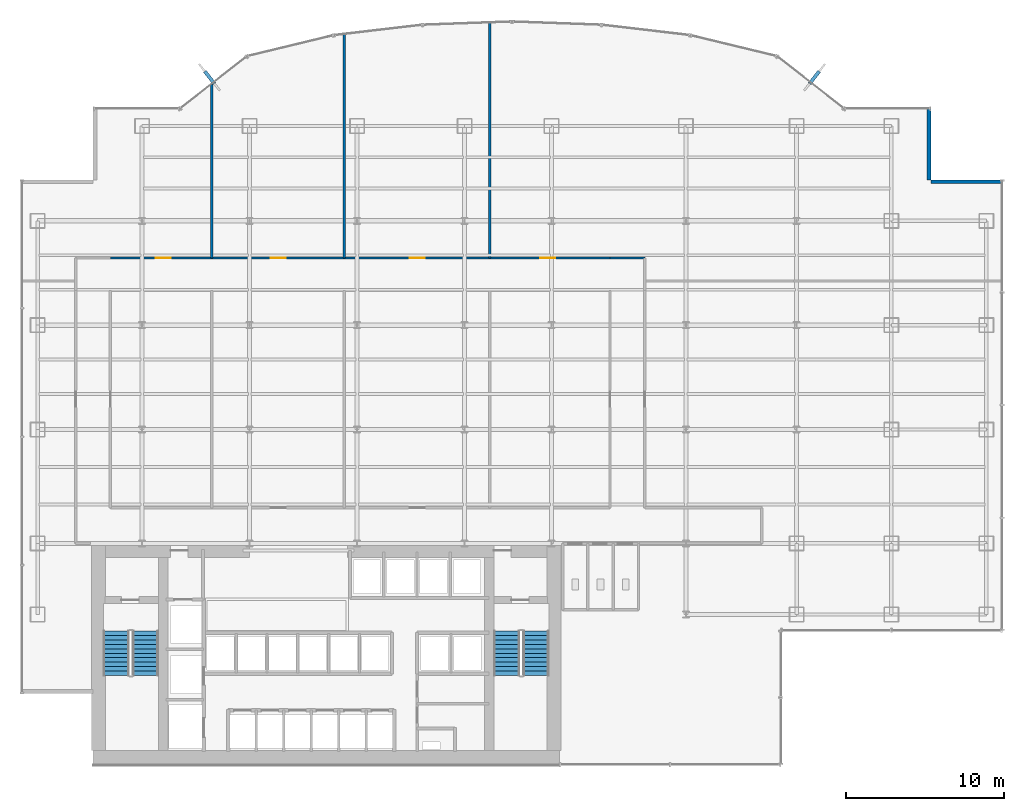
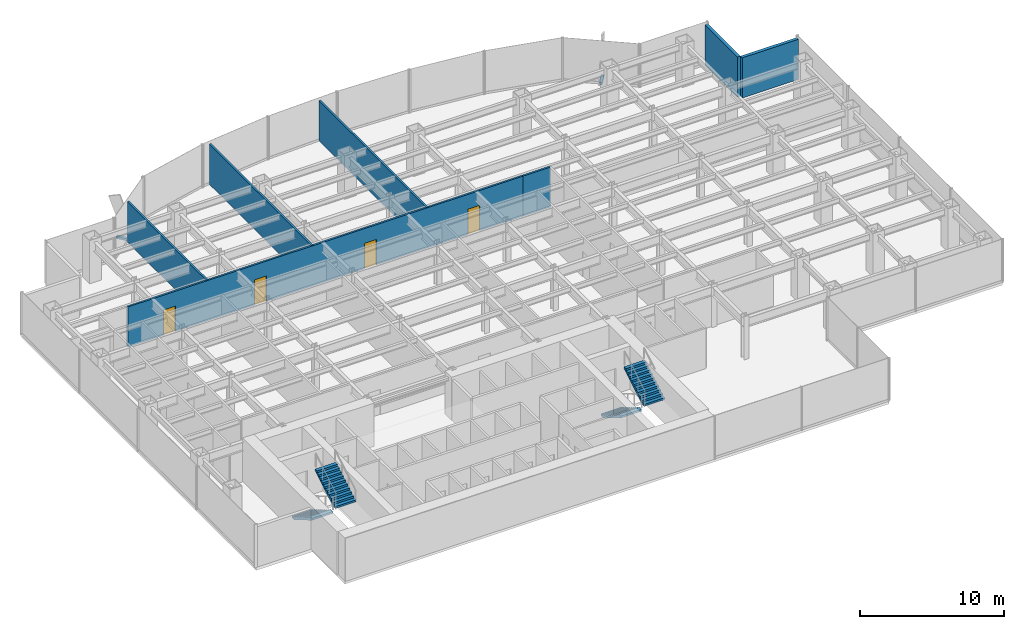
# One storey, part 20 of 23: 7 walls, 4 doors, 4 stair flights, 2 discrete accessories, 4 openings, 2 elements without a shape of their own.
"""IFC4 building model written with IfcOpenShell, lengths in metres."""

from ifc_helpers import new_model, si_unit, derived_unit, direction, frame, frame_2d, origin, origin_2d, place, context, subcontext, project, spatial, polyline, rectangle, outline, extrude, source, transform, mapped, material, layer, layer_set, type_object, element, fill, aggregate, save


model = new_model("IFC4")

# Units and contexts
model_context = context("Model", 3, precision=1e-05, world=origin(), true_north=direction((0.0, 1.0)))
body_context = subcontext(model_context, "Body", "Model", "MODEL_VIEW")
ifc_project = project(units=[si_unit("LENGTHUNIT", "METRE"), si_unit("AREAUNIT", "SQUARE_METRE"), si_unit("VOLUMEUNIT", "CUBIC_METRE"), si_unit("PLANEANGLEUNIT", "RADIAN"), si_unit("MASSUNIT", "GRAM", prefix="KILO"), derived_unit("THERMALTRANSMITTANCEUNIT", [(si_unit("POWERUNIT", "WATT"), 1), (si_unit("LENGTHUNIT", "METRE"), -2), (si_unit("THERMODYNAMICTEMPERATUREUNIT", "KELVIN"), -1)])], contexts=[model_context])

# Site, building, storey
site_placement = place(None, origin())
site = spatial("IfcSite", under=ifc_project, at=site_placement, CompositionType="ELEMENT")
building_placement = place(site_placement, origin())
building = spatial("IfcBuilding", under=site, at=building_placement, Name="Skarnbrae Concourse Arena and Tower", CompositionType="ELEMENT")
storey_placement = place(building_placement, frame((0.0, 0.0, 47.10009765625)))
storey = spatial("IfcBuildingStorey", under=building, at=storey_placement, Name="L10", CompositionType="ELEMENT", Elevation=47.10009765625)

# Walls
ifc_material_1 = material(Name="Precast concrete 40 MPa (C40/50)", Category="concrete")
ifc_layer_1 = layer(ifc_material_1, 0.25)
ifc_layer_set_1 = layer_set([ifc_layer_1], Name="Precast concrete 40 MPa (C40/50)")
wall_type_1 = type_object("IfcWallType", Name="WALL-EXT-SPANDREL-250", PredefinedType="STANDARD", material=ifc_layer_set_1)
shared_shape_1 = source(origin(), body_context, "Body", "SweptSolid", [
    extrude(rectangle(XDim=4.5, YDim=0.25, at=frame_2d((2.25, 0.0))), origin(), (0.0, 0.0, 1.0), 3.39990234375),
])
for number, where, z_axis, x_axis, name in (
    (1, (62.0, 36.875, 0.0), (0.0, 0.0, 1.0), (-1.0, 0.0, 0.0), "L10 Notched corner insulated return wall 05"),
    (2, (57.375, 37.0, 0.0), (0.0, 0.0, 1.0), (0.0, 1.0, 0.0), "L10 Notched corner insulated return wall 06"),
):
    element("IfcWall", number, at=place(storey_placement, frame(where, z_axis=z_axis, x_axis=x_axis)), inside=storey, type_object=wall_type_1, Name=name, PredefinedType="STANDARD", context=body_context, shape_type="MappedRepresentation", body=[
        mapped(shared_shape_1, transform((0.0, 0.0, 0.0))),
    ])
ifc_material_2 = material(Name="Gypsum board on cold-formed steel studs", Category="steel")
ifc_layer_2 = layer(ifc_material_2, 0.14990234375)
ifc_layer_set_2 = layer_set([ifc_layer_2], Name="Gypsum board on cold-formed steel studs")
wall_type_2 = type_object("IfcWallType", Name="WALL-PART-150-1HR", PredefinedType="PARTITIONING", material=ifc_layer_set_2)
shared_shape_2 = source(origin(), body_context, "Body", "SweptSolid", [
    extrude(rectangle(XDim=2.199951171875, YDim=0.14990234375, at=frame_2d((1.10009765625, 0.0))), origin(), (0.0, 0.0, 1.0), 3.39990234375),
])
wall_1_placement = place(storey_placement, frame((37.199951171875, 32.050048828125, 0.0), z_axis=(0.0, 0.0, 1.0), x_axis=(1.0, 0.0, 0.0)))
element("IfcWall", 3, at=wall_1_placement, inside=storey, type_object=wall_type_2, Name="L10 Interior partition wall W-L10-COR-07", PredefinedType="PARTITIONING", context=body_context, shape_type="MappedRepresentation", body=[
    mapped(shared_shape_2, transform((0.0, 0.0, 0.0))),
])

# Wall, openings, doors
shared_shape_3 = source(origin(), body_context, "Body", "SweptSolid", [
    extrude(rectangle(XDim=31.599853515625, YDim=0.14990234375, at=frame_2d((15.7998046875, 0.0))), origin(), (0.0, 0.0, 1.0), 3.39990234375),
])
wall_2_placement = place(storey_placement, frame((5.60009765625, 32.050048828125, 0.0), z_axis=(0.0, 0.0, 1.0), x_axis=(1.0, 0.0, 0.0)))
wall_2 = element("IfcWall", 4, at=wall_2_placement, inside=storey, type_object=wall_type_2, Name="L10 Interior partition wall W-L10-COR-06", PredefinedType="PARTITIONING", context=body_context, shape_type="MappedRepresentation", body=[
    mapped(shared_shape_3, transform((0.0, 0.0, 0.0))),
])
opening_1_placement = place(wall_2_placement, frame((2.85498046875, 0.0, 0.0)))
opening_1 = element("IfcOpeningElement", 5, at=opening_1_placement, cuts=wall_2, Name="Opening DT-04", PredefinedType="OPENING", context=body_context, shape_type="SweptSolid", body=[
    extrude(rectangle(XDim=0.949951171875, YDim=2.14990234375, at=frame_2d((0.47509765625, 1.074951171875))), frame((0.0, 0.0849609375, 0.0), z_axis=(0.0, -1.0, 0.0), x_axis=(1.0, 0.0, 0.0)), (0.0, 0.0, 1.0), 0.169921875),
])
opening_2_placement = place(wall_2_placement, frame((10.125, 0.0, 0.0)))
opening_2 = element("IfcOpeningElement", 6, at=opening_2_placement, cuts=wall_2, Name="Opening DT-04", PredefinedType="OPENING", context=body_context, shape_type="SweptSolid", body=[
    extrude(rectangle(XDim=0.949951171875, YDim=2.14990234375, at=frame_2d((0.47509765625, 1.074951171875))), frame((0.0, 0.0849609375, 0.0), z_axis=(0.0, -1.0, 0.0), x_axis=(1.0, 0.0, 0.0)), (0.0, 0.0, 1.0), 0.169921875),
])
opening_3_placement = place(wall_2_placement, frame((18.925048828125, 0.0, 0.0)))
opening_3 = element("IfcOpeningElement", 7, at=opening_3_placement, cuts=wall_2, Name="Opening DT-04", PredefinedType="OPENING", context=body_context, shape_type="SweptSolid", body=[
    extrude(rectangle(XDim=0.949951171875, YDim=2.14990234375, at=frame_2d((0.47509765625, 1.074951171875))), frame((0.0, 0.0849609375, 0.0), z_axis=(0.0, -1.0, 0.0), x_axis=(1.0, 0.0, 0.0)), (0.0, 0.0, 1.0), 0.169921875),
])
opening_4_placement = place(wall_2_placement, frame((27.195068359375, 0.0, 0.0)))
opening_4 = element("IfcOpeningElement", 8, at=opening_4_placement, cuts=wall_2, Name="Opening DT-04", PredefinedType="OPENING", context=body_context, shape_type="SweptSolid", body=[
    extrude(rectangle(XDim=0.949951171875, YDim=2.14990234375, at=frame_2d((0.47509765625, 1.074951171875))), frame((0.0, 0.0849609375, 0.0), z_axis=(0.0, -1.0, 0.0), x_axis=(1.0, 0.0, 0.0)), (0.0, 0.0, 1.0), 0.169921875),
])
ifc_material_3 = material(Name="Steel CSA G40.21 350W", Category="steel")
door_type = type_object("IfcDoorType", Name="DOOR-INT-950-45M", OperationType="NOTDEFINED", PredefinedType="DOOR", material=ifc_material_3)
shared_shape_4 = source(origin(), body_context, "Body", "SweptSolid", [
    extrude(rectangle(XDim=0.949951171875, YDim=2.14990234375, at=frame_2d((0.47509765625, 1.074951171875))), frame((0.0, 0.02490234375, 0.0), z_axis=(0.0, -1.0, 0.0), x_axis=(1.0, 0.0, 0.0)), (0.0, 0.0, 1.0), 0.050048828125),
])
door_1_placement = place(opening_1_placement, origin())
door_1 = element("IfcDoor", 9, at=door_1_placement, inside=storey, type_object=door_type, Name="D-0456 L10 Suite Door 02", OperationType="SINGLE_SWING_LEFT", OverallHeight=2.14990234375, OverallWidth=0.949951171875, PredefinedType="DOOR", context=body_context, shape_type="MappedRepresentation", body=[
    mapped(shared_shape_4, transform((0.0, 0.0, 0.0))),
])
fill(opening_1, door_1)
door_2_placement = place(opening_2_placement, origin())
door_2 = element("IfcDoor", 10, at=door_2_placement, inside=storey, type_object=door_type, Name="D-0459 L10 Suite Door 05", OperationType="SINGLE_SWING_RIGHT", OverallHeight=2.14990234375, OverallWidth=0.949951171875, PredefinedType="DOOR", context=body_context, shape_type="MappedRepresentation", body=[
    mapped(shared_shape_4, transform((0.0, 0.0, 0.0))),
])
fill(opening_2, door_2)
door_3_placement = place(opening_3_placement, origin())
door_3 = element("IfcDoor", 11, at=door_3_placement, inside=storey, type_object=door_type, Name="D-0461 L10 Suite Door 07", OperationType="SINGLE_SWING_RIGHT", OverallHeight=2.14990234375, OverallWidth=0.949951171875, PredefinedType="DOOR", context=body_context, shape_type="MappedRepresentation", body=[
    mapped(shared_shape_4, transform((0.0, 0.0, 0.0))),
])
fill(opening_3, door_3)
door_4_placement = place(opening_4_placement, origin())
door_4 = element("IfcDoor", 12, at=door_4_placement, inside=storey, type_object=door_type, Name="D-0463 L10 Suite Door 09", OperationType="SINGLE_SWING_RIGHT", OverallHeight=2.14990234375, OverallWidth=0.949951171875, PredefinedType="DOOR", context=body_context, shape_type="MappedRepresentation", body=[
    mapped(shared_shape_4, transform((0.0, 0.0, 0.0))),
])
fill(opening_4, door_4)

# Walls
ifc_layer_3 = layer(ifc_material_2, 0.14990234375)
ifc_layer_set_3 = layer_set([ifc_layer_3], Name="Gypsum board on cold-formed steel studs")
wall_type_3 = type_object("IfcWallType", Name="WALL-PART-150", PredefinedType="PARTITIONING", material=ifc_layer_set_3)
shared_shape_5 = source(origin(), body_context, "Body", "SweptSolid", [
    extrude(rectangle(XDim=10.989013671875, YDim=0.14990234375, at=frame_2d((5.49462890625, 0.0))), origin(), (0.0, 0.0, 1.0), 3.39990234375),
])
wall_3_placement = place(storey_placement, frame((12.0, 43.0390625, 0.0), z_axis=(0.0, 0.0, 1.0), x_axis=(0.0, -1.0, 0.0)))
element("IfcWall", 13, at=wall_3_placement, inside=storey, type_object=wall_type_3, Name="L10 Interior partition wall W-L10-DEM-19", PredefinedType="PARTITIONING", context=body_context, shape_type="MappedRepresentation", body=[
    mapped(shared_shape_5, transform((0.0, 0.0, 0.0))),
])
shared_shape_6 = source(origin(), body_context, "Body", "SweptSolid", [
    extrude(rectangle(XDim=14.14892578125, YDim=0.14990234375, at=frame_2d((7.074462890625, 0.0))), origin(), (0.0, 0.0, 1.0), 3.39990234375),
])
wall_4_placement = place(storey_placement, frame((20.39990234375, 46.198974609375, 0.0), z_axis=(0.0, 0.0, 1.0), x_axis=(0.0, -1.0, 0.0)))
element("IfcWall", 14, at=wall_4_placement, inside=storey, type_object=wall_type_3, Name="L10 Interior partition wall W-L10-DEM-21", PredefinedType="PARTITIONING", context=body_context, shape_type="MappedRepresentation", body=[
    mapped(shared_shape_6, transform((0.0, 0.0, 0.0))),
])
shared_shape_7 = source(origin(), body_context, "Body", "SweptSolid", [
    extrude(rectangle(XDim=14.879638671875, YDim=0.14990234375, at=frame_2d((7.43994140625, 0.0))), origin(), (0.0, 0.0, 1.0), 3.39990234375),
])
wall_5_placement = place(storey_placement, frame((29.60009765625, 46.9296875, 0.0), z_axis=(0.0, 0.0, 1.0), x_axis=(0.0, -1.0, 0.0)))
element("IfcWall", 15, at=wall_5_placement, inside=storey, type_object=wall_type_3, Name="L10 Interior partition wall W-L10-DEM-23", PredefinedType="PARTITIONING", context=body_context, shape_type="MappedRepresentation", body=[
    mapped(shared_shape_7, transform((0.0, 0.0, 0.0))),
])

# Stair, stair flights
ifc_material_4 = material(Name="Concrete 40 MPa (C40/50)", Category="concrete")
stair_type = type_object("IfcStairType", Name="STAIR-DOGLEG-1650", PredefinedType="HALF_TURN_STAIR", material=ifc_material_4)
stair_1_placement = place(storey_placement, origin())
stair_1 = element("IfcStair", 16, at=stair_1_placement, inside=storey, type_object=stair_type, Name="L10 Protected Exit Stair ST-1", PredefinedType="HALF_TURN_STAIR")
stair_flight_type = type_object("IfcStairFlightType", Name="FLIGHT-STRAIGHT-1650", PredefinedType="STRAIGHT", material=ifc_material_4)
shared_shape_8 = source(origin(), body_context, "Body", "SweptSolid", [
    extrude(outline(polyline([(0.0, 0.0), (0.0, 0.166015625), (0.280029296875, 0.166015625), (0.280029296875, 0.331787109375), (0.56005859375, 0.331787109375), (0.56005859375, 0.497802734375), (0.840087890625, 0.497802734375), (0.840087890625, 0.66357421875), (1.1201171875, 0.66357421875), (1.1201171875, 0.82958984375), (1.39990234375, 0.82958984375), (1.39990234375, 0.995361328125), (1.679931640625, 0.995361328125), (1.679931640625, 1.161376953125), (1.9599609375, 1.161376953125), (1.9599609375, 1.327392578125), (2.239990234375, 1.327392578125), (2.239990234375, 1.4931640625), (2.52001953125, 1.4931640625), (2.52001953125, 1.6591796875), (2.800048828125, 1.6591796875), (2.800048828125, 1.824951171875), (2.800048828125, 1.48486328125), (0.2939453125, 0.0), (0.0, 0.0)])), frame((0.0, 0.824951171875, 0.0), z_axis=(0.0, -1.0, 0.0), x_axis=(1.0, 0.0, 0.0)), (0.0, 0.0, 1.0), 1.64990234375),
])
stair_flight_1_placement = place(storey_placement, frame((5.97509765625, 8.449951171875, 0.0), z_axis=(0.0, 0.0, 1.0), x_axis=(0.0, -1.0, 0.0)))
stair_flight_1 = element("IfcStairFlight", 17, at=stair_flight_1_placement, type_object=stair_flight_type, Name="ST-1 flight 1", NumberOfRisers=11, NumberOfTreads=10, PredefinedType="STRAIGHT", RiserHeight=0.165909091, TreadLength=0.28, context=body_context, shape_type="MappedRepresentation", body=[
    mapped(shared_shape_8, transform((0.0, 0.0, 0.0))),
])
stair_flight_2_placement = place(storey_placement, frame((7.824951171875, 5.64990234375, 1.824951171875), z_axis=(0.0, 0.0, 1.0), x_axis=(0.0, 1.0, 0.0)))
stair_flight_2 = element("IfcStairFlight", 18, at=stair_flight_2_placement, type_object=stair_flight_type, Name="ST-1 flight 2", NumberOfRisers=11, NumberOfTreads=10, PredefinedType="STRAIGHT", RiserHeight=0.165909091, TreadLength=0.28, context=body_context, shape_type="MappedRepresentation", body=[
    mapped(shared_shape_8, transform((0.0, 0.0, 0.0))),
])
aggregate(stair_1, [stair_flight_1, stair_flight_2])

stair_2_placement = place(storey_placement, origin())
stair_2 = element("IfcStair", 19, at=stair_2_placement, inside=storey, type_object=stair_type, Name="L10 Protected Exit Stair ST-2", PredefinedType="HALF_TURN_STAIR")
stair_flight_3_placement = place(storey_placement, frame((30.675048828125, 8.449951171875, 0.0), z_axis=(0.0, 0.0, 1.0), x_axis=(0.0, -1.0, 0.0)))
stair_flight_3 = element("IfcStairFlight", 20, at=stair_flight_3_placement, type_object=stair_flight_type, Name="ST-2 flight 1", NumberOfRisers=11, NumberOfTreads=10, PredefinedType="STRAIGHT", RiserHeight=0.165909091, TreadLength=0.28, context=body_context, shape_type="MappedRepresentation", body=[
    mapped(shared_shape_8, transform((0.0, 0.0, 0.0))),
])
stair_flight_4_placement = place(storey_placement, frame((32.52490234375, 5.64990234375, 1.824951171875), z_axis=(0.0, 0.0, 1.0), x_axis=(0.0, 1.0, 0.0)))
stair_flight_4 = element("IfcStairFlight", 21, at=stair_flight_4_placement, type_object=stair_flight_type, Name="ST-2 flight 2", NumberOfRisers=11, NumberOfTreads=10, PredefinedType="STRAIGHT", RiserHeight=0.165909091, TreadLength=0.28, context=body_context, shape_type="MappedRepresentation", body=[
    mapped(shared_shape_8, transform((0.0, 0.0, 0.0))),
])
aggregate(stair_2, [stair_flight_3, stair_flight_4])

# Discrete accessories
ifc_material_5 = material(Name="Bronze anodised aluminium 6063-T6", Category="aluminium")
discrete_accessory_type = type_object("IfcDiscreteAccessoryType", Name="ACC-FIN-BRACKET", PredefinedType="BRACKET", material=ifc_material_5)
shared_shape_9 = source(origin(), body_context, "Body", "SweptSolid", [
    extrude(rectangle(XDim=0.219970703125, YDim=0.97998046875, at=origin_2d()), origin(), (0.0, 0.0, 1.0), 0.179931640625),
])
for number, where, z_axis, x_axis, name in (
    (22, (50.129638671875, 43.470947265625, -0.0302734375), (0.0, 0.0, 1.0), (0.787656027369, -0.616115234797, 0.0), "L10 Bronze fin foot support bracket 08"),
    (23, (11.870361328125, 43.470947265625, -0.0302734375), (0.0, 0.0, 1.0), (0.787656027369, 0.616115234797, 0.0), "L10 Bronze fin foot support bracket 15"),
):
    element("IfcDiscreteAccessory", number, at=place(storey_placement, frame(where, z_axis=z_axis, x_axis=x_axis)), inside=storey, type_object=discrete_accessory_type, Name=name, PredefinedType="BRACKET", context=body_context, shape_type="MappedRepresentation", body=[
        mapped(shared_shape_9, transform((0.0, 0.0, 0.0))),
    ])

save(model, "model.ifc")
